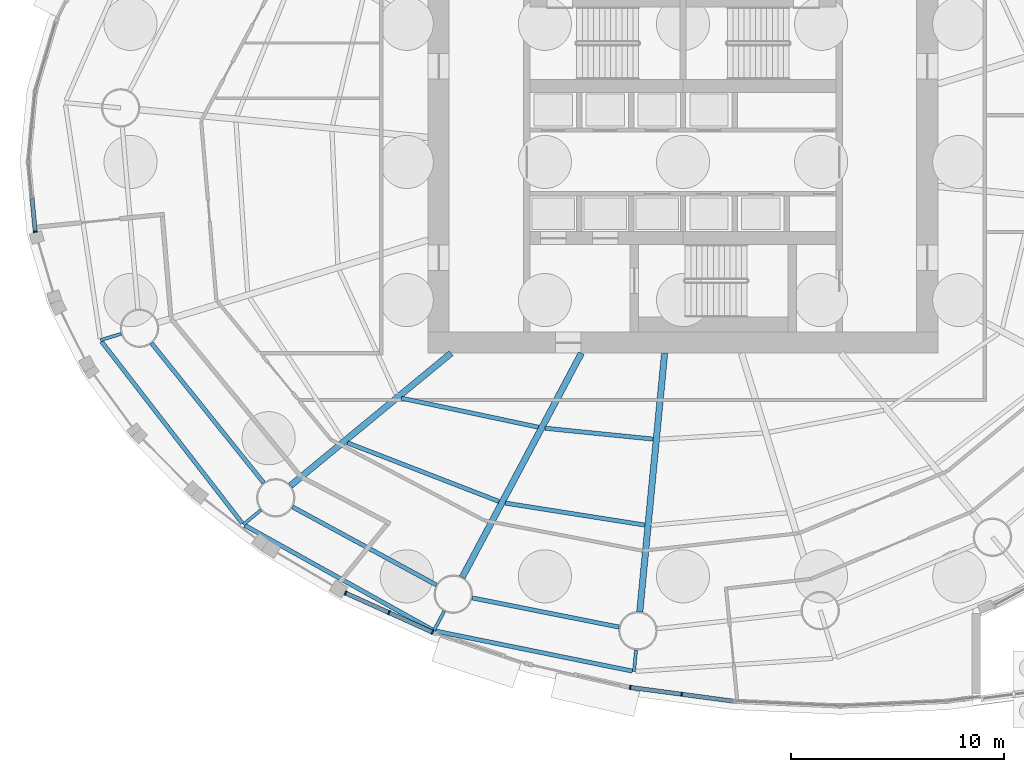
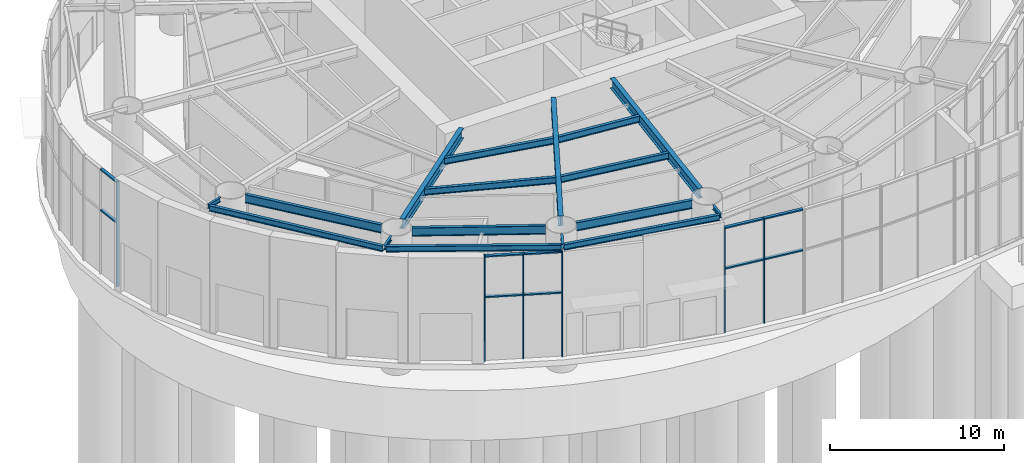
# One storey, part 5 of 27: 17 beams, 16 members, 3 elements without a shape of their own.
"""IFC4 building model written with IfcOpenShell, lengths in metres."""

from ifc_helpers import new_model, si_unit, direction, frame, origin, origin_2d, place, context, subcontext, project, spatial, rectangle, i_section, extrude, material, material_profile, profile_set, type_object, element, aggregate, save


model = new_model("IFC4")

# Units and contexts
model_context = context("Model", 3, precision=1e-05, world=origin(), true_north=direction((0.0, 1.0)))
body_context = subcontext(model_context, "Body", "Model", "MODEL_VIEW")
ifc_project = project(units=[si_unit("LENGTHUNIT", "METRE"), si_unit("AREAUNIT", "SQUARE_METRE"), si_unit("VOLUMEUNIT", "CUBIC_METRE"), si_unit("PLANEANGLEUNIT", "RADIAN"), si_unit("MASSUNIT", "GRAM", prefix="KILO")], contexts=[model_context])

# Site, building, storey
site_placement = place(None, origin())
site = spatial("IfcSite", under=ifc_project, at=site_placement, CompositionType="ELEMENT")
building_placement = place(site_placement, origin())
building = spatial("IfcBuilding", under=site, at=building_placement, Name="Vermilion Reach Broadcast Tower", CompositionType="ELEMENT")
storey_placement = place(building_placement, origin())
storey = spatial("IfcBuildingStorey", under=building, at=storey_placement, Name="L00", CompositionType="ELEMENT", Elevation=0.0)

# Beams
ifc_material_1 = material(Name="Steel S355J2", Category="steel")
ifc_material_profile_1 = material_profile(ifc_material_1, i_section(OverallWidth=0.199951171875, OverallDepth=0.39990234375, WebThickness=0.008056640625, FlangeThickness=0.012939453125, at=origin_2d()), Name="S355J2 HN 400x200x8x13")
ifc_profile_set_1 = profile_set([ifc_material_profile_1], Name="Steel S355J2")
beam_type_1 = type_object("IfcBeamType", Name="EB1 HN 400x200x8x13", PredefinedType="BEAM", material=ifc_profile_set_1)
beam_1_placement = place(storey_placement, frame((-33.365234375, -8.449951171875, 7.60009765625), z_axis=(0.612374307057, -0.790567965488, 0.0), x_axis=(0.790567965488, 0.612374307057, 0.0)))
element("IfcBeam", 1, at=beam_1_placement, inside=storey, type_object=beam_type_1, Name="Edge beam EB1-09", PredefinedType="BEAM", context=body_context, shape_type="SweptSolid", body=[
    extrude(i_section(OverallWidth=0.199951171875, OverallDepth=0.39990234375, WebThickness=0.008056640625, FlangeThickness=0.012939453125, at=origin_2d()), origin(), (0.0, 0.0, 1.0), 10.821044921875),
])
beam_2_placement = place(storey_placement, frame((-26.62255859375, -17.10302734375, 7.60009765625), z_axis=(0.873686455295, -0.486489442674, 0.0), x_axis=(0.486489442674, 0.873686455295, 0.0)))
element("IfcBeam", 2, at=beam_2_placement, inside=storey, type_object=beam_type_1, Name="Edge beam EB1-10", PredefinedType="BEAM", context=body_context, shape_type="SweptSolid", body=[
    extrude(i_section(OverallWidth=0.199951171875, OverallDepth=0.39990234375, WebThickness=0.008056640625, FlangeThickness=0.012939453125, at=origin_2d()), origin(), (0.0, 0.0, 1.0), 10.110595703125),
])
beam_3_placement = place(storey_placement, frame((-17.64697265625, -22.07373046875, 7.60009765625), z_axis=(0.979888700242, -0.199544819871, 0.0), x_axis=(0.199544819871, 0.979888700242, 0.0)))
element("IfcBeam", 3, at=beam_3_placement, inside=storey, type_object=beam_type_1, Name="Edge beam EB1-11", PredefinedType="BEAM", context=body_context, shape_type="SweptSolid", body=[
    extrude(i_section(OverallWidth=0.199951171875, OverallDepth=0.39990234375, WebThickness=0.008056640625, FlangeThickness=0.012939453125, at=origin_2d()), origin(), (0.0, 0.0, 1.0), 9.458740234375),
])
ifc_material_2 = material(Name="Steel S355J2", Category="steel")
ifc_material_profile_2 = material_profile(ifc_material_2, i_section(OverallWidth=0.300048828125, OverallDepth=0.699951171875, WebThickness=0.012939453125, FlangeThickness=0.02392578125, at=origin_2d()), Name="S355J2 HN 700x300x13x24")
ifc_profile_set_2 = profile_set([ifc_material_profile_2], Name="Steel S355J2")
beam_type_2 = type_object("IfcBeamType", Name="G1 HN 700x300x13x24", PredefinedType="BEAM", material=ifc_profile_set_2)
beam_4_placement = place(storey_placement, frame((-16.9140625, -9.0, 7.449951171875), z_axis=(-0.771514256373, -0.636212034005, 0.0), x_axis=(0.636212034005, -0.771514256373, 0.0)))
element("IfcBeam", 4, at=beam_4_placement, inside=storey, type_object=beam_type_2, Name="Girder G1-10", PredefinedType="BEAM", context=body_context, shape_type="SweptSolid", body=[
    extrude(i_section(OverallWidth=0.300048828125, OverallDepth=0.699951171875, WebThickness=0.012939453125, FlangeThickness=0.02392578125, at=origin_2d()), origin(), (0.0, 0.0, 1.0), 9.796142578125),
])
beam_5_placement = place(storey_placement, frame((-10.783447265625, -9.0, 7.449951171875), z_axis=(-0.469312182262, -0.883032318537, 0.0), x_axis=(0.883032318537, -0.469312182262, 0.0)))
element("IfcBeam", 5, at=beam_5_placement, inside=storey, type_object=beam_type_2, Name="Girder G1-11", PredefinedType="BEAM", context=body_context, shape_type="SweptSolid", body=[
    extrude(i_section(OverallWidth=0.300048828125, OverallDepth=0.699951171875, WebThickness=0.012939453125, FlangeThickness=0.02392578125, at=origin_2d()), origin(), (0.0, 0.0, 1.0), 11.94091796875),
])
beam_6_placement = place(storey_placement, frame((-6.864990234375, -9.0, 7.449951171875), z_axis=(-0.09566673912, -0.995413419151, 0.0), x_axis=(0.995413419151, -0.09566673912, 0.0)))
element("IfcBeam", 6, at=beam_6_placement, inside=storey, type_object=beam_type_2, Name="Girder G1-12", PredefinedType="BEAM", context=body_context, shape_type="SweptSolid", body=[
    extrude(i_section(OverallWidth=0.300048828125, OverallDepth=0.699951171875, WebThickness=0.012939453125, FlangeThickness=0.02392578125, at=origin_2d()), origin(), (0.0, 0.0, 1.0), 12.22412109375),
])
ifc_material_3 = material(Name="Steel S355J2", Category="steel")
ifc_material_profile_3 = material_profile(ifc_material_3, i_section(OverallWidth=0.14990234375, OverallDepth=0.300048828125, WebThickness=0.006591796875, FlangeThickness=0.009033203125, at=origin_2d()), Name="S355J2 HN 300x150x6.5x9")
ifc_profile_set_3 = profile_set([ifc_material_profile_3], Name="Steel S355J2")
beam_type_3 = type_object("IfcBeamType", Name="GS1 HN 300x150x6.5x9", PredefinedType="BEAM", material=ifc_profile_set_3)
beam_7_placement = place(storey_placement, frame((-32.43603515625, -8.08740234375, 7.64990234375), z_axis=(-0.956262624381, -0.292509475422, 0.0), x_axis=(0.292509475422, -0.956262624381, 0.0)))
element("IfcBeam", 7, at=beam_7_placement, inside=storey, type_object=beam_type_3, Name="Cantilever stub GS1-09", PredefinedType="BEAM", context=body_context, shape_type="SweptSolid", body=[
    extrude(i_section(OverallWidth=0.14990234375, OverallDepth=0.300048828125, WebThickness=0.006591796875, FlangeThickness=0.009033203125, at=origin_2d()), origin(), (0.0, 0.0, 1.0), 1.023193359375),
])
beam_8_placement = place(storey_placement, frame((-25.860595703125, -16.377685546875, 7.64990234375), z_axis=(-0.771531570629, -0.636191036972, 0.0), x_axis=(0.636191036972, -0.771531570629, 0.0)))
element("IfcBeam", 8, at=beam_8_placement, inside=storey, type_object=beam_type_3, Name="Cantilever stub GS1-10", PredefinedType="BEAM", context=body_context, shape_type="SweptSolid", body=[
    extrude(i_section(OverallWidth=0.14990234375, OverallDepth=0.300048828125, WebThickness=0.006591796875, FlangeThickness=0.009033203125, at=origin_2d()), origin(), (0.0, 0.0, 1.0), 1.07861328125),
])
beam_9_placement = place(storey_placement, frame((-17.232177734375, -21.1337890625, 7.64990234375), z_axis=(-0.469462125124, -0.882952610888, 0.0), x_axis=(0.882952610888, -0.469462125124, 0.0)))
element("IfcBeam", 9, at=beam_9_placement, inside=storey, type_object=beam_type_3, Name="Cantilever stub GS1-11", PredefinedType="BEAM", context=body_context, shape_type="SweptSolid", body=[
    extrude(i_section(OverallWidth=0.14990234375, OverallDepth=0.300048828125, WebThickness=0.006591796875, FlangeThickness=0.009033203125, at=origin_2d()), origin(), (0.0, 0.0, 1.0), 1.046875),
])
beam_10_placement = place(storey_placement, frame((-8.206787109375, -22.959716796875, 7.64990234375), z_axis=(-0.095621304963, -0.99541778467, 0.0), x_axis=(0.99541778467, -0.095621304963, 0.0)))
element("IfcBeam", 10, at=beam_10_placement, inside=storey, type_object=beam_type_3, Name="Cantilever stub GS1-12", PredefinedType="BEAM", context=body_context, shape_type="SweptSolid", body=[
    extrude(i_section(OverallWidth=0.14990234375, OverallDepth=0.300048828125, WebThickness=0.006591796875, FlangeThickness=0.009033203125, at=origin_2d()), origin(), (0.0, 0.0, 1.0), 1.021240234375),
])
ifc_material_4 = material(Name="Steel S355J2", Category="steel")
ifc_material_profile_4 = material_profile(ifc_material_4, i_section(OverallWidth=0.199951171875, OverallDepth=0.60009765625, WebThickness=0.010986328125, FlangeThickness=0.01708984375, at=origin_2d()), Name="S355J2 HN 600x200x11x17")
ifc_profile_set_4 = profile_set([ifc_material_profile_4], Name="Steel S355J2")
beam_type_4 = type_object("IfcBeamType", Name="RB1 HN 600x200x11x17", PredefinedType="BEAM", material=ifc_profile_set_4)
beam_11_placement = place(storey_placement, frame((-31.011962890625, -8.52587890625, 7.5), z_axis=(0.626162157191, -0.779692858055, 0.0), x_axis=(0.779692858055, 0.626162157191, 0.0)))
element("IfcBeam", 11, at=beam_11_placement, inside=storey, type_object=beam_type_4, Name="Ring beam RB1-09", PredefinedType="BEAM", context=body_context, shape_type="SweptSolid", body=[
    extrude(i_section(OverallWidth=0.199951171875, OverallDepth=0.60009765625, WebThickness=0.010986328125, FlangeThickness=0.01708984375, at=origin_2d()), origin(), (0.0, 0.0, 1.0), 8.435791015625),
])
beam_12_placement = place(storey_placement, frame((-24.375244140625, -16.234130859375, 7.5), z_axis=(0.878962319551, -0.476891225344, 0.0), x_axis=(0.476891225344, 0.878962319551, 0.0)))
element("IfcBeam", 12, at=beam_12_placement, inside=storey, type_object=beam_type_4, Name="Ring beam RB1-10", PredefinedType="BEAM", context=body_context, shape_type="SweptSolid", body=[
    extrude(i_section(OverallWidth=0.199951171875, OverallDepth=0.60009765625, WebThickness=0.010986328125, FlangeThickness=0.01708984375, at=origin_2d()), origin(), (0.0, 0.0, 1.0), 7.707275390625),
])
beam_13_placement = place(storey_placement, frame((-15.927001953125, -20.51416015625, 7.5), z_axis=(0.980857717995, -0.194725799651, 0.0), x_axis=(0.194725799651, 0.980857717995, 0.0)))
element("IfcBeam", 13, at=beam_13_placement, inside=storey, type_object=beam_type_4, Name="Ring beam RB1-11", PredefinedType="BEAM", context=body_context, shape_type="SweptSolid", body=[
    extrude(i_section(OverallWidth=0.199951171875, OverallDepth=0.60009765625, WebThickness=0.010986328125, FlangeThickness=0.01708984375, at=origin_2d()), origin(), (0.0, 0.0, 1.0), 7.05859375),
])
ifc_material_5 = material(Name="Steel S355J2", Category="steel")
ifc_material_profile_5 = material_profile(ifc_material_5, i_section(OverallWidth=0.199951171875, OverallDepth=0.449951171875, WebThickness=0.009033203125, FlangeThickness=0.013916015625, at=origin_2d()), Name="S355J2 HN 450x200x9x14")
ifc_profile_set_5 = profile_set([ifc_material_profile_5], Name="Steel S355J2")
beam_type_5 = type_object("IfcBeamType", Name="SB1 HN 450x200x9x14", PredefinedType="BEAM", material=ifc_profile_set_5)
beam_14_placement = place(storey_placement, frame((-19.24560546875, -11.1171875, 7.574951171875), z_axis=(0.978270372412, -0.207333254596, 0.0), x_axis=(0.207333254596, 0.978270372412, 0.0)))
element("IfcBeam", 14, at=beam_14_placement, inside=storey, type_object=beam_type_5, Name="Secondary beam SB1-10-1", PredefinedType="BEAM", context=body_context, shape_type="SweptSolid", body=[
    extrude(i_section(OverallWidth=0.199951171875, OverallDepth=0.449951171875, WebThickness=0.009033203125, FlangeThickness=0.013916015625, at=origin_2d()), origin(), (0.0, 0.0, 1.0), 6.584716796875),
])
beam_15_placement = place(storey_placement, frame((-21.7919921875, -13.217041015625, 7.574951171875), z_axis=(0.932680743753, -0.360702966765, 0.0), x_axis=(0.360702966765, 0.932680743753, 0.0)))
element("IfcBeam", 15, at=beam_15_placement, inside=storey, type_object=beam_type_5, Name="Secondary beam SB1-10-2", PredefinedType="BEAM", context=body_context, shape_type="SweptSolid", body=[
    extrude(i_section(OverallWidth=0.199951171875, OverallDepth=0.449951171875, WebThickness=0.009033203125, FlangeThickness=0.013916015625, at=origin_2d()), origin(), (0.0, 0.0, 1.0), 7.646240234375),
])
beam_16_placement = place(storey_placement, frame((-12.490234375, -12.531005859375, 7.574951171875), z_axis=(0.995010199331, -0.099773259079, 0.0), x_axis=(0.099773259079, 0.995010199331, 0.0)))
element("IfcBeam", 16, at=beam_16_placement, inside=storey, type_object=beam_type_5, Name="Secondary beam SB1-11-1", PredefinedType="BEAM", context=body_context, shape_type="SweptSolid", body=[
    extrude(i_section(OverallWidth=0.199951171875, OverallDepth=0.449951171875, WebThickness=0.009033203125, FlangeThickness=0.013916015625, at=origin_2d()), origin(), (0.0, 0.0, 1.0), 5.111572265625),
])
beam_17_placement = place(storey_placement, frame((-14.36279296875, -16.05419921875, 7.574951171875), z_axis=(0.987829548379, -0.155540294938, 0.0), x_axis=(0.155540294938, 0.987829548379, 0.0)))
element("IfcBeam", 17, at=beam_17_placement, inside=storey, type_object=beam_type_5, Name="Secondary beam SB1-11-2", PredefinedType="BEAM", context=body_context, shape_type="SweptSolid", body=[
    extrude(i_section(OverallWidth=0.199951171875, OverallDepth=0.449951171875, WebThickness=0.009033203125, FlangeThickness=0.013916015625, at=origin_2d()), origin(), (0.0, 0.0, 1.0), 6.650634765625),
])

# Curtain wall, member
ifc_material_6 = material(Name="Low-e laminated clear glass in aluminium frame", Category="aluminium")
curtain_wall_type = type_object("IfcCurtainWallType", Name="Street frontage curtain wall", PredefinedType="NOTDEFINED", material=ifc_material_6)
placement = place(storey_placement, origin())
curtain_wall_1 = element("IfcCurtainWall", 18, at=placement, inside=storey, type_object=curtain_wall_type, Name="Street frontage L00 03", PredefinedType="NOTDEFINED")
ifc_material_7 = material(Name="Anodised aluminium", Category="aluminium")
ifc_material_profile_6 = material_profile(ifc_material_7, rectangle(XDim=0.199951171875, YDim=0.070068359375, at=origin_2d()), Name="Street frontage mullion 70 x 200")
ifc_profile_set_6 = profile_set([ifc_material_profile_6], Name="Anodised aluminium")
member_type_1 = type_object("IfcMemberType", Name="Street frontage mullion 70 x 200", PredefinedType="MULLION", material=ifc_profile_set_6)
member_1_placement = place(storey_placement, frame((-36.48046875, -3.2822265625, 0.0), z_axis=(0.0, 0.0, 1.0), x_axis=(0.995297951094, 0.096860665643, 0.0)))
member_1 = element("IfcMember", 19, at=member_1_placement, type_object=member_type_1, Name="Street frontage mullion L00 03.3", PredefinedType="MULLION", context=body_context, shape_type="SweptSolid", body=[
    extrude(rectangle(XDim=0.199951171875, YDim=0.070068359375, at=origin_2d()), origin(), (0.0, 0.0, 1.0), 7.39990234375),
])

# Curtain wall, members
curtain_wall_2 = element("IfcCurtainWall", 20, at=placement, inside=storey, type_object=curtain_wall_type, Name="Street frontage L00 01", PredefinedType="NOTDEFINED")
member_2_placement = place(storey_placement, frame((-21.882568359375, -20.2861328125, 0.0), z_axis=(0.0, 0.0, 1.0), x_axis=(0.410407876277, 0.911902064418, 0.0)))
member_2 = element("IfcMember", 21, at=member_2_placement, type_object=member_type_1, Name="Street frontage mullion L00 01.1", PredefinedType="MULLION", context=body_context, shape_type="SweptSolid", body=[
    extrude(rectangle(XDim=0.199951171875, YDim=0.070068359375, at=origin_2d()), origin(), (0.0, 0.0, 1.0), 7.39990234375),
])
member_3_placement = place(storey_placement, frame((-19.834716796875, -21.207763671875, 0.0), z_axis=(0.0, 0.0, 1.0), x_axis=(0.410407876277, 0.911902064418, 0.0)))
member_3 = element("IfcMember", 22, at=member_3_placement, type_object=member_type_1, Name="Street frontage mullion L00 01.2", PredefinedType="MULLION", context=body_context, shape_type="SweptSolid", body=[
    extrude(rectangle(XDim=0.199951171875, YDim=0.070068359375, at=origin_2d()), origin(), (0.0, 0.0, 1.0), 7.39990234375),
])
member_4_placement = place(storey_placement, frame((-17.786865234375, -22.12939453125, 0.0), z_axis=(0.0, 0.0, 1.0), x_axis=(0.410407876277, 0.911902064418, 0.0)))
member_4 = element("IfcMember", 23, at=member_4_placement, type_object=member_type_1, Name="Street frontage mullion L00 01.3", PredefinedType="MULLION", context=body_context, shape_type="SweptSolid", body=[
    extrude(rectangle(XDim=0.199951171875, YDim=0.070068359375, at=origin_2d()), origin(), (0.0, 0.0, 1.0), 7.39990234375),
])

curtain_wall_3 = element("IfcCurtainWall", 24, at=placement, inside=storey, type_object=curtain_wall_type, Name="Street frontage L00 01", PredefinedType="NOTDEFINED")
member_5_placement = place(storey_placement, frame((-8.484619140625, -24.72509765625, 0.0), z_axis=(0.0, 0.0, 1.0), x_axis=(0.13279364906, 0.991143706417, 0.0)))
member_5 = element("IfcMember", 25, at=member_5_placement, type_object=member_type_1, Name="Street frontage mullion L00 01.1", PredefinedType="MULLION", context=body_context, shape_type="SweptSolid", body=[
    extrude(rectangle(XDim=0.199951171875, YDim=0.070068359375, at=origin_2d()), origin(), (0.0, 0.0, 1.0), 7.39990234375),
])
member_6_placement = place(storey_placement, frame((-6.061279296875, -25.0498046875, 0.0), z_axis=(0.0, 0.0, 1.0), x_axis=(0.13279364906, 0.991143706417, 0.0)))
member_6 = element("IfcMember", 26, at=member_6_placement, type_object=member_type_1, Name="Street frontage mullion L00 01.2", PredefinedType="MULLION", context=body_context, shape_type="SweptSolid", body=[
    extrude(rectangle(XDim=0.199951171875, YDim=0.070068359375, at=origin_2d()), origin(), (0.0, 0.0, 1.0), 7.39990234375),
])

# Member
ifc_material_8 = material(Name="Anodised aluminium", Category="aluminium")
ifc_material_profile_7 = material_profile(ifc_material_8, rectangle(XDim=0.199951171875, YDim=0.090087890625, at=origin_2d()), Name="Street frontage transom 200 x 90")
ifc_profile_set_7 = profile_set([ifc_material_profile_7], Name="Anodised aluminium")
member_type_2 = type_object("IfcMemberType", Name="Street frontage transom 200 x 90", PredefinedType="USERDEFINED", material=ifc_profile_set_7)
member_7_placement = place(storey_placement, frame((-36.63525390625, -1.693359375, 4.5), z_axis=(0.096948846292, -0.995289365563, 0.0), x_axis=(0.995289365563, 0.096948846292, 0.0)))
member_7 = element("IfcMember", 27, at=member_7_placement, type_object=member_type_2, Name="Street frontage transom L00 03.2.2", ObjectType="TRANSOM", PredefinedType="USERDEFINED", context=body_context, shape_type="SweptSolid", body=[
    extrude(rectangle(XDim=0.199951171875, YDim=0.090087890625, at=origin_2d()), origin(), (0.0, 0.0, 1.0), 1.561279296875),
])

member_8_placement = place(storey_placement, frame((-36.63525390625, -1.693359375, 7.35498046875), z_axis=(0.096948846292, -0.995289365563, 0.0), x_axis=(0.995289365563, 0.096948846292, 0.0)))
member_8 = element("IfcMember", 28, at=member_8_placement, type_object=member_type_2, Name="Street frontage transom L00 03.2.3", ObjectType="TRANSOM", PredefinedType="USERDEFINED", context=body_context, shape_type="SweptSolid", body=[
    extrude(rectangle(XDim=0.199951171875, YDim=0.090087890625, at=origin_2d()), origin(), (0.0, 0.0, 1.0), 1.561279296875),
])

aggregate(curtain_wall_1, [member_1, member_7, member_8])

member_9_placement = place(storey_placement, frame((-21.8505859375, -20.300537109375, 4.5), z_axis=(0.911866905557, -0.410485988251, 0.0), x_axis=(0.410485988251, 0.911866905557, 0.0)))
member_9 = element("IfcMember", 29, at=member_9_placement, type_object=member_type_2, Name="Street frontage transom L00 01.1.2", ObjectType="TRANSOM", PredefinedType="USERDEFINED", context=body_context, shape_type="SweptSolid", body=[
    extrude(rectangle(XDim=0.199951171875, YDim=0.090087890625, at=origin_2d()), origin(), (0.0, 0.0, 1.0), 2.175537109375),
])

member_10_placement = place(storey_placement, frame((-21.8505859375, -20.300537109375, 7.35498046875), z_axis=(0.911866905557, -0.410485988251, 0.0), x_axis=(0.410485988251, 0.911866905557, 0.0)))
member_10 = element("IfcMember", 30, at=member_10_placement, type_object=member_type_2, Name="Street frontage transom L00 01.1.3", ObjectType="TRANSOM", PredefinedType="USERDEFINED", context=body_context, shape_type="SweptSolid", body=[
    extrude(rectangle(XDim=0.199951171875, YDim=0.090087890625, at=origin_2d()), origin(), (0.0, 0.0, 1.0), 2.175537109375),
])

member_11_placement = place(storey_placement, frame((-19.802978515625, -21.22216796875, 4.5), z_axis=(0.911885810904, -0.410443988715, 0.0), x_axis=(0.410443988715, 0.911885810904, 0.0)))
member_11 = element("IfcMember", 31, at=member_11_placement, type_object=member_type_2, Name="Street frontage transom L00 01.2.2", ObjectType="TRANSOM", PredefinedType="USERDEFINED", context=body_context, shape_type="SweptSolid", body=[
    extrude(rectangle(XDim=0.199951171875, YDim=0.090087890625, at=origin_2d()), origin(), (0.0, 0.0, 1.0), 2.17578125),
])

member_12_placement = place(storey_placement, frame((-19.802978515625, -21.22216796875, 7.35498046875), z_axis=(0.911885810904, -0.410443988715, 0.0), x_axis=(0.410443988715, 0.911885810904, 0.0)))
member_12 = element("IfcMember", 32, at=member_12_placement, type_object=member_type_2, Name="Street frontage transom L00 01.2.3", ObjectType="TRANSOM", PredefinedType="USERDEFINED", context=body_context, shape_type="SweptSolid", body=[
    extrude(rectangle(XDim=0.199951171875, YDim=0.090087890625, at=origin_2d()), origin(), (0.0, 0.0, 1.0), 2.17578125),
])

aggregate(curtain_wall_2, [member_2, member_3, member_4, member_9, member_10, member_11, member_12])

member_13_placement = place(storey_placement, frame((-8.449951171875, -24.729736328125, 4.5), z_axis=(0.991141504408, -0.132810083354, 0.0), x_axis=(0.132810083354, 0.991141504408, 0.0)))
member_13 = element("IfcMember", 33, at=member_13_placement, type_object=member_type_2, Name="Street frontage transom L00 01.1.2", ObjectType="TRANSOM", PredefinedType="USERDEFINED", context=body_context, shape_type="SweptSolid", body=[
    extrude(rectangle(XDim=0.199951171875, YDim=0.090087890625, at=origin_2d()), origin(), (0.0, 0.0, 1.0), 2.375),
])

member_14_placement = place(storey_placement, frame((-8.449951171875, -24.729736328125, 7.35498046875), z_axis=(0.991141504408, -0.132810083354, 0.0), x_axis=(0.132810083354, 0.991141504408, 0.0)))
member_14 = element("IfcMember", 34, at=member_14_placement, type_object=member_type_2, Name="Street frontage transom L00 01.1.3", ObjectType="TRANSOM", PredefinedType="USERDEFINED", context=body_context, shape_type="SweptSolid", body=[
    extrude(rectangle(XDim=0.199951171875, YDim=0.090087890625, at=origin_2d()), origin(), (0.0, 0.0, 1.0), 2.375),
])

member_15_placement = place(storey_placement, frame((-6.0263671875, -25.054443359375, 4.5), z_axis=(0.991141504408, -0.132810083354, 0.0), x_axis=(0.132810083354, 0.991141504408, 0.0)))
member_15 = element("IfcMember", 35, at=member_15_placement, type_object=member_type_2, Name="Street frontage transom L00 01.2.2", ObjectType="TRANSOM", PredefinedType="USERDEFINED", context=body_context, shape_type="SweptSolid", body=[
    extrude(rectangle(XDim=0.199951171875, YDim=0.090087890625, at=origin_2d()), origin(), (0.0, 0.0, 1.0), 2.375),
])

member_16_placement = place(storey_placement, frame((-6.0263671875, -25.054443359375, 7.35498046875), z_axis=(0.991141504408, -0.132810083354, 0.0), x_axis=(0.132810083354, 0.991141504408, 0.0)))
member_16 = element("IfcMember", 36, at=member_16_placement, type_object=member_type_2, Name="Street frontage transom L00 01.2.3", ObjectType="TRANSOM", PredefinedType="USERDEFINED", context=body_context, shape_type="SweptSolid", body=[
    extrude(rectangle(XDim=0.199951171875, YDim=0.090087890625, at=origin_2d()), origin(), (0.0, 0.0, 1.0), 2.375),
])

aggregate(curtain_wall_3, [member_5, member_6, member_13, member_14, member_15, member_16])

save(model, "model.ifc")
